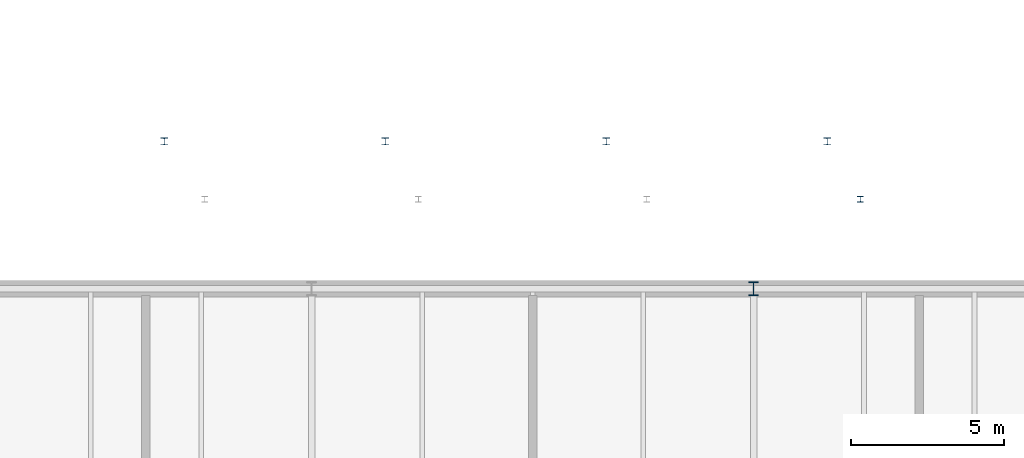
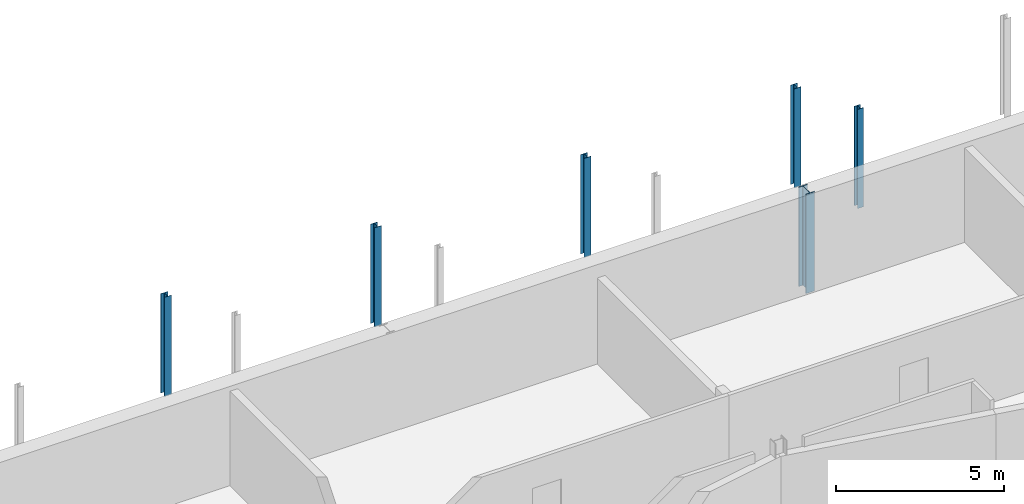
# One storey, part 11 of 90: 6 columns.
"""IFC4 building model written with IfcOpenShell, lengths in metres."""

from ifc_helpers import new_model, si_unit, direction, frame, origin, origin_2d, place, context, subcontext, project, spatial, i_section, extrude, material, material_profile, profile_set, type_object, element, save


model = new_model("IFC4")

# Units and contexts
model_context = context("Model", 3, precision=1e-05, world=origin(), true_north=direction((0.0, 1.0)))
body_context = subcontext(model_context, "Body", "Model", "MODEL_VIEW")
ifc_project = project(units=[si_unit("LENGTHUNIT", "METRE"), si_unit("AREAUNIT", "SQUARE_METRE"), si_unit("VOLUMEUNIT", "CUBIC_METRE"), si_unit("PLANEANGLEUNIT", "RADIAN"), si_unit("MASSUNIT", "GRAM", prefix="KILO")], contexts=[model_context])

# Site, building, storey
site_placement = place(None, origin())
site = spatial("IfcSite", under=ifc_project, at=site_placement, CompositionType="ELEMENT")
building_placement = place(site_placement, origin())
building = spatial("IfcBuilding", under=site, at=building_placement, Name="Kupolbacken Congress Centre", CompositionType="ELEMENT")
storey_placement = place(building_placement, frame((0.0, 0.0, 3.60009765625)))
storey = spatial("IfcBuildingStorey", under=building, at=storey_placement, Name="L01", CompositionType="ELEMENT", Elevation=3.60009765625)

# Columns
ifc_material_1 = material(Name="Steel S355", Category="steel")
ifc_material_profile_1 = material_profile(ifc_material_1, i_section(OverallWidth=0.300048828125, OverallDepth=0.449951171875, WebThickness=0.013916015625, FlangeThickness=0.02587890625, FilletRadius=0.027099609375, at=origin_2d()), Name="HEB 450")
ifc_profile_set_1 = profile_set([ifc_material_profile_1], Name="Steel S355")
column_type_1 = type_object("IfcColumnType", Name="C03 column HEB 450", PredefinedType="COLUMN", material=ifc_profile_set_1)
column_1_placement = place(storey_placement, frame((50.39990234375, 122.39990234375, 0.0), z_axis=(0.0, 0.0, 1.0), x_axis=(1.0, 0.0, 0.0)))
element("IfcColumn", 1, at=column_1_placement, inside=storey, type_object=column_type_1, Name="S/col/C-P-8T/L01", PredefinedType="COLUMN", context=body_context, shape_type="SweptSolid", body=[
    extrude(i_section(OverallWidth=0.300048828125, OverallDepth=0.449951171875, WebThickness=0.013916015625, FlangeThickness=0.02587890625, FilletRadius=0.027099609375, at=origin_2d()), origin(), (0.0, 0.0, 1.0), 3.599853515625),
])
ifc_material_2 = material(Name="Steel S355", Category="steel")
ifc_material_profile_2 = material_profile(ifc_material_2, i_section(OverallWidth=0.239990234375, OverallDepth=0.22998046875, WebThickness=0.007568359375, FlangeThickness=0.011962890625, FilletRadius=0.02099609375, at=origin_2d()), Name="HEA 240")
ifc_profile_set_2 = profile_set([ifc_material_profile_2], Name="Steel S355")
column_type_2 = type_object("IfcColumnType", Name="C10 column HEA 240", PredefinedType="COLUMN", material=ifc_profile_set_2)
for number, where, z_axis, x_axis, name in (
    (2, (31.199951171875, 127.199951171875, 0.0), (0.0, 0.0, 1.0), (1.0, 0.0, 0.0), "E/T/portico/P/col31.2/L01"),
    (3, (38.39990234375, 127.199951171875, 0.0), (0.0, 0.0, 1.0), (1.0, 0.0, 0.0), "E/T/portico/P/col38.4/L01"),
    (4, (45.60009765625, 127.199951171875, 0.0), (0.0, 0.0, 1.0), (1.0, 0.0, 0.0), "E/T/portico/P/col45.6/L01"),
    (5, (52.800048828125, 127.199951171875, 0.0), (0.0, 0.0, 1.0), (1.0, 0.0, 0.0), "E/T/portico/P/col52.8/L01"),
):
    element("IfcColumn", number, at=place(storey_placement, frame(where, z_axis=z_axis, x_axis=x_axis)), inside=storey, type_object=column_type_2, Name=name, PredefinedType="COLUMN", context=body_context, shape_type="SweptSolid", body=[
        extrude(i_section(OverallWidth=0.239990234375, OverallDepth=0.22998046875, WebThickness=0.007568359375, FlangeThickness=0.011962890625, FilletRadius=0.02099609375, at=origin_2d()), origin(), (0.0, 0.0, 1.0), 3.599853515625),
    ])
ifc_material_3 = material(Name="Steel S355", Category="steel")
ifc_material_profile_3 = material_profile(ifc_material_3, i_section(OverallWidth=0.199951171875, OverallDepth=0.199951171875, WebThickness=0.009033203125, FlangeThickness=0.014892578125, FilletRadius=0.01806640625, at=origin_2d()), Name="HEB 200")
ifc_profile_set_3 = profile_set([ifc_material_profile_3], Name="Steel S355")
column_type_3 = type_object("IfcColumnType", Name="C11 column HEB 200", PredefinedType="COLUMN", material=ifc_profile_set_3)
column_2_placement = place(storey_placement, frame((53.8798828125, 125.320068359375, 0.0), z_axis=(0.0, 0.0, 1.0), x_axis=(1.0, 0.0, 0.0)))
element("IfcColumn", 6, at=column_2_placement, inside=storey, type_object=column_type_3, Name="E/canopy/HEN3/col2/L01", PredefinedType="COLUMN", context=body_context, shape_type="SweptSolid", body=[
    extrude(i_section(OverallWidth=0.199951171875, OverallDepth=0.199951171875, WebThickness=0.009033203125, FlangeThickness=0.014892578125, FilletRadius=0.01806640625, at=origin_2d()), origin(), (0.0, 0.0, 1.0), 3.599853515625),
])

save(model, "model.ifc")
